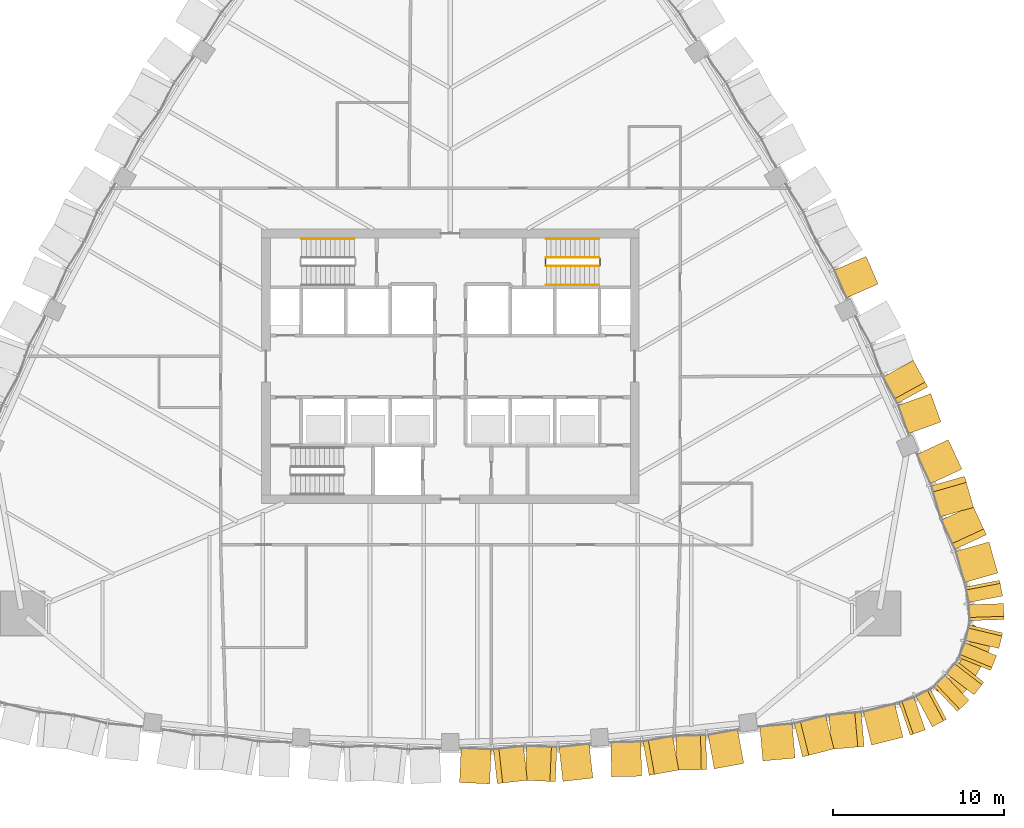
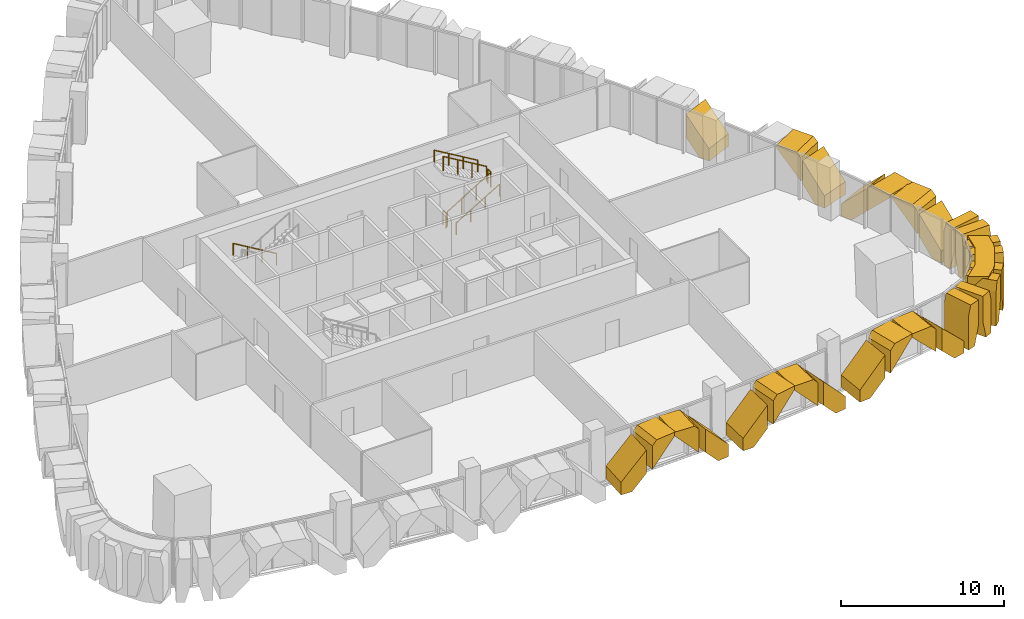
# One storey, part 16 of 18: 28 coverings, 7 railings.
"""IFC4 building model written with IfcOpenShell, lengths in metres."""

from ifc_helpers import new_model, si_unit, direction, frame, origin, origin_2d, place, context, subcontext, project, spatial, polyline, circle, outline, extrude, material, layer, layer_set, type_object, element, save


model = new_model("IFC4")

# Units and contexts
model_context = context("Model", 3, precision=1e-05, world=origin(), true_north=direction((0.0, 1.0)))
body_context = subcontext(model_context, "Body", "Model", "MODEL_VIEW")
ifc_project = project(units=[si_unit("LENGTHUNIT", "METRE"), si_unit("AREAUNIT", "SQUARE_METRE"), si_unit("VOLUMEUNIT", "CUBIC_METRE"), si_unit("PLANEANGLEUNIT", "RADIAN"), si_unit("MASSUNIT", "GRAM", prefix="KILO")], contexts=[model_context])

# Site, building, storey
site_placement = place(None, origin())
site = spatial("IfcSite", under=ifc_project, at=site_placement, CompositionType="ELEMENT")
building_placement = place(site_placement, origin())
building = spatial("IfcBuilding", under=site, at=building_placement, Name="Sierra Prisma Convention Tower", CompositionType="ELEMENT")
storey_placement = place(building_placement, frame((0.0, 0.0, 129.800048828125)))
storey = spatial("IfcBuildingStorey", under=building, at=storey_placement, Name="L27", CompositionType="ELEMENT", Elevation=129.800048828125)

# Coverings
ifc_material_1 = material(Name="Aluminium composite bronze anodised", Category="aluminium")
ifc_layer_1 = layer(ifc_material_1, 1.199951171875)
ifc_layer_set_1 = layer_set([ifc_layer_1], Name="Bronze corner pier")
covering_type_1 = type_object("IfcCoveringType", Name="Bronze corner pier", PredefinedType="CLADDING", material=ifc_layer_set_1)
covering_1_placement = place(storey_placement, frame((0.0, 0.0, -0.60009765625)))
element("IfcCovering", 1, at=covering_1_placement, inside=storey, type_object=covering_type_1, Name="Corner pier SE L27.1", PredefinedType="CLADDING", context=body_context, shape_type="SweptSolid", body=[
    extrude(outline(polyline([(31.414794921875, -16.587646484375), (31.274658203125, -16.966796875), (30.3310546875, -18.60107421875), (30.07275390625, -18.912353515625), (29.382080078125, -19.504150390625), (28.280517578125, -18.8681640625), (29.2919921875, -18.001220703125), (30.2353515625, -16.366943359375), (30.48046875, -15.0576171875), (31.582275390625, -15.693603515625), (31.414794921875, -16.587646484375)])), origin(), (0.0, 0.0, 1.0), 4.0),
])
ifc_material_2 = material(Name="Aluminium 6063-T6 bronze anodised", Category="aluminium")
ifc_layer_2 = layer(ifc_material_2, 2.0)
ifc_layer_set_2 = layer_set([ifc_layer_2], Name="Bronze crystal chevron frame")
covering_type_2 = type_object("IfcCoveringType", Name="Bronze crystal chevron frame", PredefinedType="CLADDING", material=ifc_layer_set_2)
covering_2_placement = place(storey_placement, frame((0.53955078125, -24.271484375, 0.0), z_axis=(-0.045119728341, -0.998981584328, 6.5480491e-05), x_axis=(0.99898158647, -0.045119728439, -1.5075e-08)))
element("IfcCovering", 2, at=covering_2_placement, inside=storey, type_object=covering_type_2, Name="CW-2 chevron frame S4.1.1", PredefinedType="CLADDING", context=body_context, shape_type="SweptSolid", body=[
    extrude(outline(polyline([(0.0, 0.0), (0.7644583505653496, -4.235164736271502e-22), (1.7600901446003832, 1.056152372547627), (1.760090118226456, 2.8056640875469405), (-1.4143874194525674e-08, 0.9382324198635729), (0.0, 0.0)])), origin(), (0.0, 0.0, -1.0), 2.0),
])
covering_3_placement = place(storey_placement, frame((2.740966796875, -24.336181640625, 2.943603515625), z_axis=(0.111790858861, -0.993731756198, -2.4461716e-05), x_axis=(-2.734596e-06, 2.4308384e-05, -0.999999999701)))
element("IfcCovering", 3, at=covering_3_placement, inside=storey, type_object=covering_type_2, Name="CW-2 chevron frame S4.1.2", PredefinedType="CLADDING", context=body_context, shape_type="SweptSolid", body=[
    extrude(outline(polyline([(0.0, 0.0), (1.7495117182265674, 0.0), (-0.11791992204102877, 1.7603006512595747), (-0.3364257813506545, 1.7603006512595747), (-0.3364257825282681, 0.31716732719125773), (0.0, 0.0)])), origin(), (0.0, 0.0, -1.0), 2.0),
])
covering_4_placement = place(storey_placement, frame((4.3662109375, -24.1435546875, 3.280029296875), z_axis=(-0.045070698482, -0.998983798425, 5.1207562e-05), x_axis=(-2.307961e-06, -5.1155525e-05, -0.999999998689)))
element("IfcCovering", 4, at=covering_4_placement, inside=storey, type_object=covering_type_2, Name="CW-2 chevron frame S4.2.1", PredefinedType="CLADDING", context=body_context, shape_type="SweptSolid", body=[
    extrude(outline(polyline([(0.0, 0.0), (0.21850585908851541, -9.254083102936997e-23), (2.085937498147293, 1.7600901617962568), (0.33642578169109033, 1.7600901617962568), (-5.160564010665054e-09, 1.4431123396599663), (0.0, 0.0)])), origin(), (0.0, 0.0, -1.0), 2.0),
])
covering_5_placement = place(storey_placement, frame((8.31689453125, -24.01123046875, 0.0), z_axis=(0.111782863844, -0.993732655858, -5.617471e-06), x_axis=(6.27937e-07, -5.582264e-06, 0.999999999984)))
element("IfcCovering", 5, at=covering_5_placement, inside=storey, type_object=covering_type_2, Name="CW-2 chevron frame S4.2.2", PredefinedType="CLADDING", context=body_context, shape_type="SweptSolid", body=[
    extrude(outline(polyline([(0.0, 0.0), (0.9382324218601966, 9.933922168879017e-23), (2.8056640624890603, 1.760300651268814), (1.056152343766664, 1.760300651268814), (-8.481438717302025e-11, 0.7645556707582953), (0.0, 0.0)])), origin(), (0.0, 0.0, -1.0), 2.0),
])
covering_6_placement = place(storey_placement, frame((9.40625, -23.938720703125, 0.0), z_axis=(0.021859634029, -0.999761049267, 2.7706874e-05), x_axis=(0.999761049651, 0.021859634037, -2.711e-09)))
element("IfcCovering", 6, at=covering_6_placement, inside=storey, type_object=covering_type_2, Name="CW-2 chevron frame S5.1.1", PredefinedType="CLADDING", context=body_context, shape_type="SweptSolid", body=[
    extrude(outline(polyline([(0.0, 0.0), (0.7628759702697803, -5.293955920339377e-23), (1.7521282915253982, 1.0539550832796092), (1.7521282867718384, 2.8073730513565853), (-2.5501902502951355e-09, 0.9406738277639362), (0.0, 0.0)])), origin(), (0.0, 0.0, -1.0), 2.0),
])
covering_7_placement = place(storey_placement, frame((11.59912109375, -23.85595703125, 2.946044921875), z_axis=(0.177948871522, -0.984039733668, -4.1075141e-05), x_axis=(-7.309275e-06, 4.0419571e-05, -0.999999999156)))
element("IfcCovering", 7, at=covering_7_placement, inside=storey, type_object=covering_type_2, Name="CW-2 chevron frame S5.1.2", PredefinedType="CLADDING", context=body_context, shape_type="SweptSolid", body=[
    extrude(outline(polyline([(0.0, 0.0), (1.7536621078956396, -1.4854095849920994e-21), (-0.11328125046792528, 1.7520823520872035), (-0.33398437528174374, 1.7520823520872035), (-0.333984378612828, 0.31333362485645533), (0.0, 0.0)])), origin(), (0.0, 0.0, -1.0), 2.0),
])
covering_8_placement = place(storey_placement, frame((13.19970703125, -23.556640625, 3.280029296875), z_axis=(0.021735304754, -0.999763760318, -9.016815e-06), x_axis=(-1.95983e-07, 9.014685e-06, -0.999999999959)))
element("IfcCovering", 8, at=covering_8_placement, inside=storey, type_object=covering_type_2, Name="CW-2 chevron frame S5.2.1", PredefinedType="CLADDING", context=body_context, shape_type="SweptSolid", body=[
    extrude(outline(polyline([(0.0, 0.0), (0.2207031249910281, 5.841963076155758e-24), (2.087646484317288, 1.7521229707318715), (0.3339843750135769, 1.7521229707318715), (-1.6052172152739395e-10, 1.438571882637604), (0.0, 0.0)])), origin(), (0.0, 0.0, -1.0), 2.0),
])
covering_9_placement = place(storey_placement, frame((17.11669921875, -23.162353515625, 0.0), z_axis=(0.177939231642, -0.984041477699, -3.269207e-06), x_axis=(5.8172e-07, -3.217035e-06, 0.999999999995)))
element("IfcCovering", 9, at=covering_9_placement, inside=storey, type_object=covering_type_2, Name="CW-2 chevron frame S5.2.2", PredefinedType="CLADDING", context=body_context, shape_type="SweptSolid", body=[
    extrude(outline(polyline([(0.0, 0.0), (0.9406738281199732, 0.0), (2.807373046871262, 1.752082352137522), (1.0539550781306322, 1.752082352137522), (-2.879368223331374e-11, 0.7629057023276306), (0.0, 0.0)])), origin(), (0.0, 0.0, -1.0), 2.0),
])
covering_10_placement = place(storey_placement, frame((18.230712890625, -23.013671875, 0.0), z_axis=(0.088541196607, -0.996072515682, 2.511692e-06), x_axis=(0.996072515685, 0.088541196607, -2.1e-11)))
element("IfcCovering", 10, at=covering_10_placement, inside=storey, type_object=covering_type_2, Name="CW-2 chevron frame S6.1.1", PredefinedType="CLADDING", context=body_context, shape_type="SweptSolid", body=[
    extrude(outline(polyline([(0.0, 0.0), (0.791437860491614, 0.0), (1.888765997425145, 1.0898437500425284), (1.888765997390144, 2.7810058594121947), (-1.873584059985115e-11, 0.9052734374971447), (0.0, 0.0)])), origin(), (0.0, 0.0, -1.0), 2.0),
])
covering_11_placement = place(storey_placement, frame((20.54931640625, -22.7724609375, 2.91015625), z_axis=(0.243264094205, -0.969960092177, 7.346904e-06), x_axis=(1.787238e-06, -7.126204e-06, -0.999999999973)))
element("IfcCovering", 11, at=covering_11_placement, inside=storey, type_object=covering_type_2, Name="CW-2 chevron frame S6.1.2", PredefinedType="CLADDING", context=body_context, shape_type="SweptSolid", body=[
    extrude(outline(polyline([(0.0, 0.0), (1.691162109329358, 0.0), (-0.18457031251498335, 1.8887703997073357), (-0.3698730468849823, 1.8887703997073357), (-0.3698730469862682, 0.3722709851859059), (0.0, 0.0)])), origin(), (0.0, 0.0, -1.0), 2.0),
])
covering_12_placement = place(storey_placement, frame((22.2587890625, -22.333740234375, 3.280029296875), z_axis=(0.088675766446, -0.996060544254, 2.5031601e-05), x_axis=(2.219696e-06, -2.493299e-05, -0.999999999687)))
element("IfcCovering", 12, at=covering_12_placement, inside=storey, type_object=covering_type_2, Name="CW-2 chevron frame S6.2.1", PredefinedType="CLADDING", context=body_context, shape_type="SweptSolid", body=[
    extrude(outline(polyline([(0.0, 0.0), (0.1853027343169464, -7.84787606159685e-23), (2.061035155836053, 1.888787629937354), (0.36987304699087775, 1.888787629937354), (-1.1757572735371427e-09, 1.516476302869707), (0.0, 0.0)])), origin(), (0.0, 0.0, -1.0), 2.0),
])
covering_13_placement = place(storey_placement, frame((26.409423828125, -21.6328125, 0.0), z_axis=(0.243286593139, -0.969954448506, 3.7706727e-05), x_axis=(-9.173541e-06, 3.6573808e-05, 0.999999999289)))
element("IfcCovering", 13, at=covering_13_placement, inside=storey, type_object=covering_type_2, Name="CW-2 chevron frame S6.2.2", PredefinedType="CLADDING", context=body_context, shape_type="SweptSolid", body=[
    extrude(outline(polyline([(0.0, 0.0), (0.9052734368564425, 0.0), (2.7810058589475237, 1.8887703992622398), (1.0898437507747687, 1.8887703992622398), (-3.691604943822658e-09, 0.7913793726549375), (0.0, 0.0)])), origin(), (0.0, 0.0, -1.0), 2.0),
])
covering_14_placement = place(storey_placement, frame((26.825927734375, -21.508544921875, 0.0), z_axis=(0.327644702088, -0.94480101012, 2.1664082e-05), x_axis=(0.944801010342, 0.327644702165, -4.704e-09)))
element("IfcCovering", 14, at=covering_14_placement, inside=storey, type_object=covering_type_2, Name="CW-2 chevron frame SE1.1.1", PredefinedType="CLADDING", context=body_context, shape_type="SweptSolid", body=[
    extrude(outline(polyline([(0.0, 0.0), (0.5606950704272843, 8.470329472543003e-22), (0.9320753758879697, 1.4052734422506445), (0.9320753670695886, 3.280029301185703), (0.18630679707103087, 3.280029296814612), (-1.211536926841589e-08, 2.575683593145574), (0.0, 0.0)])), origin(), (0.0, 0.0, -1.0), 2.0),
])
covering_15_placement = place(storey_placement, frame((28.11279296875, -21.025390625, 3.280029296875), z_axis=(0.471270403979, -0.881988778733, 2.2845114e-05), x_axis=(1.0766226e-05, -2.0149135e-05, -0.999999999739)))
element("IfcCovering", 15, at=covering_15_placement, inside=storey, type_object=covering_type_2, Name="CW-2 chevron frame SE1.1.2", PredefinedType="CLADDING", context=body_context, shape_type="SweptSolid", body=[
    extrude(outline(polyline([(0.0, 0.0), (1.874755858885783, -3.1759599618973498e-21), (3.2800292963477427, 0.37146724148197274), (3.280029296407474, 0.931999920837311), (0.7043457033295976, 0.931999920837311), (-2.5732715514488455e-09, 0.7457781133873456), (0.0, 0.0)])), origin(), (0.0, 0.0, -1.0), 2.0),
])
covering_16_placement = place(storey_placement, frame((29.572998046875, -20.12646484375, 0.0), z_axis=(0.686687235547, -0.726952981623, -5.5189838e-05), x_axis=(0.72695298273, 0.686687236594, -7.784e-09)))
element("IfcCovering", 16, at=covering_16_placement, inside=storey, type_object=covering_type_2, Name="CW-2 chevron frame SE2.1.1", PredefinedType="CLADDING", context=body_context, shape_type="SweptSolid", body=[
    extrude(outline(polyline([(0.0, 0.0), (0.5605933350302221, -3.3881317890172014e-21), (0.9319096018998306, 1.4052734454880211), (0.9319095873067238, 3.280029302007844), (0.18618071913459047, 3.28002930565775), (-2.0049131010923322e-08, 2.5756835898273382), (0.0, 0.0)])), origin(), (0.0, 0.0, -1.0), 2.0),
])
covering_17_placement = place(storey_placement, frame((30.5478515625, -19.15771484375, 3.280029296875), z_axis=(0.792020969348, -0.610493885119, 1.8562899e-05), x_axis=(1.4702206e-05, -1.1332537e-05, -0.999999999828)))
element("IfcCovering", 17, at=covering_17_placement, inside=storey, type_object=covering_type_2, Name="CW-2 chevron frame SE2.1.2", PredefinedType="CLADDING", context=body_context, shape_type="SweptSolid", body=[
    extrude(outline(polyline([(0.0, 0.0), (1.874755859051997, 3.1759599618973498e-21), (3.2800292969550013, 0.37146828310611146), (3.2800292966152043, 0.9321612935009921), (0.7043457033089702, 0.9321612935009921), (-1.2512470740613432e-09, 0.7459135356681356), (0.0, 0.0)])), origin(), (0.0, 0.0, -1.0), 2.0),
])
covering_18_placement = place(storey_placement, frame((31.51025390625, -17.73828125, 0.0), z_axis=(0.924721691349, -0.380643919414, 1.2727158e-05), x_axis=(0.380643919444, 0.924721691424, -5.53e-10)))
element("IfcCovering", 18, at=covering_18_placement, inside=storey, type_object=covering_type_2, Name="CW-2 chevron frame SE3.1.1", PredefinedType="CLADDING", context=body_context, shape_type="SweptSolid", body=[
    extrude(outline(polyline([(0.0, 0.0), (0.5605143887908913, -4.235164736271502e-22), (0.9319685504144284, 1.4052734380642378), (0.9319685493780936, 3.2800292972874012), (0.18611218790676834, 3.2800292972860476), (-1.423796230647499e-09, 2.575683593541395), (0.0, 0.0)])), origin(), (0.0, 0.0, -1.0), 2.0),
])
covering_19_placement = place(storey_placement, frame((32.0009765625, -16.45458984375, 3.280029296875), z_axis=(0.972882687669, -0.231299105122, -1.648056e-06), x_axis=(-1.603365e-06, 3.81194e-07, -0.999999999999)))
element("IfcCovering", 19, at=covering_19_placement, inside=storey, type_object=covering_type_2, Name="CW-2 chevron frame SE3.1.2", PredefinedType="CLADDING", context=body_context, shape_type="SweptSolid", body=[
    extrude(outline(polyline([(0.0, 0.0), (1.874755859372454, 0.0), (3.2800292968174225, 0.3714071442275103), (3.280029296866306, 0.9320125517169101), (0.7043457031198038, 0.9320125517169101), (-7.074275510633249e-11, 0.7460714594157355), (0.0, 0.0)])), origin(), (0.0, 0.0, -1.0), 2.0),
])
covering_20_placement = place(storey_placement, frame((32.29541015625, -14.76513671875, 0.0), z_axis=(0.999464084038, 0.03273445627, 9.551291e-06), x_axis=(-0.032734456271, 0.999464084083, -6.9e-10)))
element("IfcCovering", 20, at=covering_20_placement, inside=storey, type_object=covering_type_2, Name="CW-2 chevron frame SE4.1.1", PredefinedType="CLADDING", context=body_context, shape_type="SweptSolid", body=[
    extrude(outline(polyline([(0.0, 0.0), (0.560601845017504, 0.0), (0.9318963095319911, 1.4052734381975391), (0.931896308239283, 3.280029297487025), (0.18613525005234993, 3.280029296953878), (-1.776021551003162e-09, 2.575683593632514), (0.0, 0.0)])), origin(), (0.0, 0.0, -1.0), 2.0),
])
covering_21_placement = place(storey_placement, frame((32.2158203125, -13.39306640625, 3.280029296875), z_axis=(0.982049068546, 0.188625623852, 3.1543343e-05), x_axis=(3.0977111e-05, 5.949883e-06, -0.999999999503)))
element("IfcCovering", 21, at=covering_21_placement, inside=storey, type_object=covering_type_2, Name="CW-2 chevron frame SE4.1.2", PredefinedType="CLADDING", context=body_context, shape_type="SweptSolid", body=[
    extrude(outline(polyline([(0.0, 0.0), (1.8747558584423254, 0.0), (3.2800292949243874, 0.3714152498070385), (3.2800292958757327, 0.9320098654908248), (0.7043457034071127, 0.9320098654908248), (-5.894669949387831e-09, 0.7458457500291767), (0.0, 0.0)])), origin(), (0.0, 0.0, -1.0), 2.0),
])
covering_22_placement = place(storey_placement, frame((31.939208984375, -12.054931640625, 0.0), z_axis=(0.961683304092, 0.274162766522, -9.11625e-06), x_axis=(-0.274162766533, 0.961683304132, -2.73e-10)))
element("IfcCovering", 22, at=covering_22_placement, inside=storey, type_object=covering_type_2, Name="CW-2 chevron frame NE1.1.1", PredefinedType="CLADDING", context=body_context, shape_type="SweptSolid", body=[
    extrude(outline(polyline([(0.0, 0.0), (0.7915671976886225, 0.0), (1.888775148765753, 1.0898437505601621), (1.8887751483047461, 2.78100585986489), (-2.4677549333614346e-10, 0.9052734374623833), (0.0, 0.0)])), origin(), (0.0, 0.0, -1.0), 2.0),
])
covering_23_placement = place(storey_placement, frame((31.2666015625, -9.822998046875, 2.91015625), z_axis=(0.906956069281, 0.421225222341, 2.1415588e-05), x_axis=(1.9422998e-05, 9.020786e-06, -0.999999999771)))
element("IfcCovering", 23, at=covering_23_placement, inside=storey, type_object=covering_type_2, Name="CW-2 chevron frame NE1.1.2", PredefinedType="CLADDING", context=body_context, shape_type="SweptSolid", body=[
    extrude(outline(polyline([(0.0, 0.0), (1.6911621089871933, 0.0), (-0.1845703126273094, 1.8888876317203023), (-0.369873046959817, 1.8888876317203023), (-0.3698730478204152, 0.3725769087401709), (0.0, 0.0)])), origin(), (0.0, 0.0, -1.0), 2.0),
])
covering_24_placement = place(storey_placement, frame((30.51416015625, -8.226318359375, 3.280029296875), z_axis=(0.961683508889, 0.274162047336, 2.3042792e-05), x_axis=(2.2159873e-05, 6.317459e-06, -0.999999999735)))
element("IfcCovering", 24, at=covering_24_placement, inside=storey, type_object=covering_type_2, Name="CW-2 chevron frame NE1.2.1", PredefinedType="CLADDING", context=body_context, shape_type="SweptSolid", body=[
    extrude(outline(polyline([(0.0, 0.0), (0.18530273432580488, -1.56957521231937e-22), (2.061035155899218, 1.8887751490697433), (0.3698730469731958, 1.8887751490697433), (-9.963470110682383e-10, 1.5163656169086195), (0.0, 0.0)])), origin(), (0.0, 0.0, -1.0), 2.0),
])
covering_25_placement = place(storey_placement, frame((29.0458984375, -4.28125, 0.0), z_axis=(0.9069530396, 0.421231746112, 5.198569e-06), x_axis=(-4.714858e-06, -2.189802e-06, 0.999999999986)))
element("IfcCovering", 25, at=covering_25_placement, inside=storey, type_object=covering_type_2, Name="CW-2 chevron frame NE1.2.2", PredefinedType="CLADDING", context=body_context, shape_type="SweptSolid", body=[
    extrude(outline(polyline([(0.0, 0.0), (0.9052734374877675, 3.8339821391832833e-22), (2.781005859366875, 1.8888876317284136), (1.0898437500147267, 1.8888876317284136), (-7.016897414315882e-11, 0.7916873668695301), (0.0, 0.0)])), origin(), (0.0, 0.0, -1.0), 2.0),
])
covering_26_placement = place(storey_placement, frame((28.617431640625, -3.24267578125, 0.0), z_axis=(0.941200828508, 0.337847594371, 5.826017e-05), x_axis=(-0.337847594944, 0.941200830105, -1.1988e-08)))
element("IfcCovering", 26, at=covering_26_placement, inside=storey, type_object=covering_type_2, Name="CW-2 chevron frame NE2.1.1", PredefinedType="CLADDING", context=body_context, shape_type="SweptSolid", body=[
    extrude(outline(polyline([(0.0, 0.0), (0.7628175913098288, 1.6940658945086007e-21), (1.7522197200557674, 1.0539551009187433), (1.752219699036352, 2.8073730666929766), (-1.1276497787926703e-08, 0.9406738265285602), (0.0, 0.0)])), origin(), (0.0, 0.0, -1.0), 2.0),
])
covering_27_placement = place(storey_placement, frame((27.84326171875, -1.189208984375, 2.946044921875), z_axis=(0.876714788678, 0.481010575837, -7.2436148e-05), x_axis=(-6.3505842e-05, -3.4842553e-05, -0.999999997377)))
element("IfcCovering", 27, at=covering_27_placement, inside=storey, type_object=covering_type_2, Name="CW-2 chevron frame NE2.1.2", PredefinedType="CLADDING", context=body_context, shape_type="SweptSolid", body=[
    extrude(outline(polyline([(0.0, 0.0), (1.7536621047742713, 0.0), (-0.11328125145522142, 1.7521332951603448), (-0.3339843758762073, 1.7521332951603448), (-0.3339843862356928, 0.3134678663844859), (0.0, 0.0)])), origin(), (0.0, 0.0, -1.0), 2.0),
])
covering_28_placement = place(storey_placement, frame((24.952880859375, 4.802978515625, 0.0), z_axis=(0.916487444542, 0.400063449642, -1.6047556e-05), x_axis=(-0.400063449693, 0.91648744466, -9.05e-10)))
element("IfcCovering", 28, at=covering_28_placement, inside=storey, type_object=covering_type_2, Name="CW-2 chevron frame NE3.1.1", PredefinedType="CLADDING", context=body_context, shape_type="SweptSolid", body=[
    extrude(outline(polyline([(0.0, 0.0), (0.7645504073828199, 8.470329472543003e-22), (1.7600135575849594, 1.0561523454793584), (1.7600135560011008, 2.805664064004088), (-8.493956062262221e-10, 0.9382324217541912), (0.0, 0.0)])), origin(), (0.0, 0.0, -1.0), 2.0),
])

# Railings
ifc_material_3 = material(Name="Stainless steel", Category="steel")
railing_type_1 = type_object("IfcRailingType", Name="Exit stair handrail", PredefinedType="HANDRAIL", material=ifc_material_3)
railing_1_placement = place(storey_placement, frame((-5.60009765625, 7.449951171875, 0.16650390625)))
element("IfcRailing", 29, at=railing_1_placement, inside=storey, type_object=railing_type_1, Name="L27 S3 stair handrail 1", PredefinedType="HANDRAIL", context=body_context, shape_type="SweptSolid", body=[
    extrude(circle(Radius=0.02392578125, at=origin_2d()), frame((0.0, 0.0, 0.8759765625), z_axis=(-0.859260807169, 0.0, 0.511537745687), x_axis=(0.0, -1.0, 0.0)), (0.0, 0.0, 1.0), 3.584228515625),
    extrude(circle(Radius=0.02099609375, at=origin_2d()), origin(), (0.0, 0.0, 1.0), 0.851806640625),
    extrude(circle(Radius=0.02099609375, at=origin_2d()), frame((-1.026611328125, 0.0, 0.611083984375)), (0.0, 0.0, 1.0), 0.851806640625),
    extrude(circle(Radius=0.02099609375, at=origin_2d()), frame((-2.05322265625, 0.0, 1.222412109375)), (0.0, 0.0, 1.0), 0.851806640625),
    extrude(circle(Radius=0.02099609375, at=origin_2d()), frame((-3.079833984375, 0.0, 1.83349609375)), (0.0, 0.0, 1.0), 0.851806640625),
])
railing_2_placement = place(storey_placement, frame((5.60009765625, 4.75, 0.16650390625)))
element("IfcRailing", 30, at=railing_2_placement, inside=storey, type_object=railing_type_1, Name="L27 S4 stair handrail 1", PredefinedType="HANDRAIL", context=body_context, shape_type="SweptSolid", body=[
    extrude(circle(Radius=0.02392578125, at=origin_2d()), frame((0.0, 0.0, 0.8759765625), z_axis=(0.859260807169, 0.0, 0.511537745687), x_axis=(0.0, 1.0, 0.0)), (0.0, 0.0, 1.0), 3.584228515625),
    extrude(circle(Radius=0.02099609375, at=origin_2d()), origin(), (0.0, 0.0, 1.0), 0.851806640625),
    extrude(circle(Radius=0.02099609375, at=origin_2d()), frame((1.026611328125, 0.0, 0.611083984375)), (0.0, 0.0, 1.0), 0.851806640625),
    extrude(circle(Radius=0.02099609375, at=origin_2d()), frame((2.05322265625, 0.0, 1.222412109375)), (0.0, 0.0, 1.0), 0.851806640625),
    extrude(circle(Radius=0.02099609375, at=origin_2d()), frame((3.079833984375, 0.0, 1.83349609375)), (0.0, 0.0, 1.0), 0.851806640625),
])
railing_3_placement = place(storey_placement, frame((8.679931640625, 7.449951171875, 2.16650390625)))
element("IfcRailing", 31, at=railing_3_placement, inside=storey, type_object=railing_type_1, Name="L27 S4 stair handrail 2", PredefinedType="HANDRAIL", context=body_context, shape_type="SweptSolid", body=[
    extrude(circle(Radius=0.02392578125, at=origin_2d()), frame((0.0, 0.0, 0.8759765625), z_axis=(-0.859260807169, 0.0, 0.511537745687), x_axis=(0.0, -1.0, 0.0)), (0.0, 0.0, 1.0), 3.584228515625),
    extrude(circle(Radius=0.02099609375, at=origin_2d()), origin(), (0.0, 0.0, 1.0), 0.851806640625),
    extrude(circle(Radius=0.02099609375, at=origin_2d()), frame((-1.026611328125, 0.0, 0.611083984375)), (0.0, 0.0, 1.0), 0.851806640625),
    extrude(circle(Radius=0.02099609375, at=origin_2d()), frame((-2.05322265625, 0.0, 1.222412109375)), (0.0, 0.0, 1.0), 0.851806640625),
    extrude(circle(Radius=0.02099609375, at=origin_2d()), frame((-3.079833984375, 0.0, 1.83349609375)), (0.0, 0.0, 1.0), 0.851806640625),
])
ifc_material_4 = material(Name="Stainless steel", Category="steel")
railing_type_2 = type_object("IfcRailingType", Name="Stair guard 1100", PredefinedType="GUARDRAIL", material=ifc_material_4)
railing_4_placement = place(storey_placement, frame((5.60009765625, 5.85009765625, 0.16650390625)))
element("IfcRailing", 32, at=railing_4_placement, inside=storey, type_object=railing_type_2, Name="L27 S4 stair guard 1", PredefinedType="GUARDRAIL", context=body_context, shape_type="SweptSolid", body=[
    extrude(circle(Radius=0.02392578125, at=origin_2d()), frame((0.0, 0.0, 1.076171875), z_axis=(0.859260807169, 0.0, 0.511537745687), x_axis=(0.0, 1.0, 0.0)), (0.0, 0.0, 1.0), 3.584228515625),
    extrude(circle(Radius=0.02099609375, at=origin_2d()), origin(), (0.0, 0.0, 1.0), 1.052001953125),
    extrude(circle(Radius=0.02099609375, at=origin_2d()), frame((1.026611328125, 0.0, 0.611083984375)), (0.0, 0.0, 1.0), 1.052001953125),
    extrude(circle(Radius=0.02099609375, at=origin_2d()), frame((2.05322265625, 0.0, 1.222412109375)), (0.0, 0.0, 1.0), 1.052001953125),
    extrude(circle(Radius=0.02099609375, at=origin_2d()), frame((3.079833984375, 0.0, 1.83349609375)), (0.0, 0.0, 1.0), 1.052001953125),
])
railing_5_placement = place(storey_placement, frame((8.72998046875, 5.89990234375, 2.0)))
element("IfcRailing", 33, at=railing_5_placement, inside=storey, type_object=railing_type_2, Name="L27 S4 stair guard 2", PredefinedType="GUARDRAIL", context=body_context, shape_type="SweptSolid", body=[
    extrude(circle(Radius=0.02392578125, at=origin_2d()), frame((0.0, 0.0, 1.076171875), z_axis=(0.0, 1.0, 0.0), x_axis=(-1.0, 0.0, 0.0)), (0.0, 0.0, 1.0), 0.400146484375),
    extrude(circle(Radius=0.02099609375, at=origin_2d()), origin(), (0.0, 0.0, 1.0), 1.052001953125),
    extrude(circle(Radius=0.02099609375, at=origin_2d()), frame((0.0, 0.400146484375, 0.0)), (0.0, 0.0, 1.0), 1.052001953125),
])
railing_6_placement = place(storey_placement, frame((8.679931640625, 6.35009765625, 2.16650390625)))
element("IfcRailing", 34, at=railing_6_placement, inside=storey, type_object=railing_type_2, Name="L27 S4 stair guard 3", PredefinedType="GUARDRAIL", context=body_context, shape_type="SweptSolid", body=[
    extrude(circle(Radius=0.02392578125, at=origin_2d()), frame((0.0, 0.0, 1.076171875), z_axis=(-0.859260807169, 0.0, 0.511537745687), x_axis=(0.0, -1.0, 0.0)), (0.0, 0.0, 1.0), 3.584228515625),
    extrude(circle(Radius=0.02099609375, at=origin_2d()), origin(), (0.0, 0.0, 1.0), 1.052001953125),
    extrude(circle(Radius=0.02099609375, at=origin_2d()), frame((-1.026611328125, 0.0, 0.611083984375)), (0.0, 0.0, 1.0), 1.052001953125),
    extrude(circle(Radius=0.02099609375, at=origin_2d()), frame((-2.05322265625, 0.0, 1.222412109375)), (0.0, 0.0, 1.0), 1.052001953125),
    extrude(circle(Radius=0.02099609375, at=origin_2d()), frame((-3.079833984375, 0.0, 1.83349609375)), (0.0, 0.0, 1.0), 1.052001953125),
])
railing_7_placement = place(storey_placement, frame((5.550048828125, 5.89990234375, 0.0)))
element("IfcRailing", 35, at=railing_7_placement, inside=storey, type_object=railing_type_2, Name="L27 S4 stair guard 4", PredefinedType="GUARDRAIL", context=body_context, shape_type="SweptSolid", body=[
    extrude(circle(Radius=0.02392578125, at=origin_2d()), frame((0.0, 0.0, 1.076171875), z_axis=(0.0, 1.0, 0.0), x_axis=(-1.0, 0.0, 0.0)), (0.0, 0.0, 1.0), 0.400146484375),
    extrude(circle(Radius=0.02099609375, at=origin_2d()), origin(), (0.0, 0.0, 1.0), 1.052001953125),
    extrude(circle(Radius=0.02099609375, at=origin_2d()), frame((0.0, 0.400146484375, 0.0)), (0.0, 0.0, 1.0), 1.052001953125),
])

save(model, "model.ifc")
